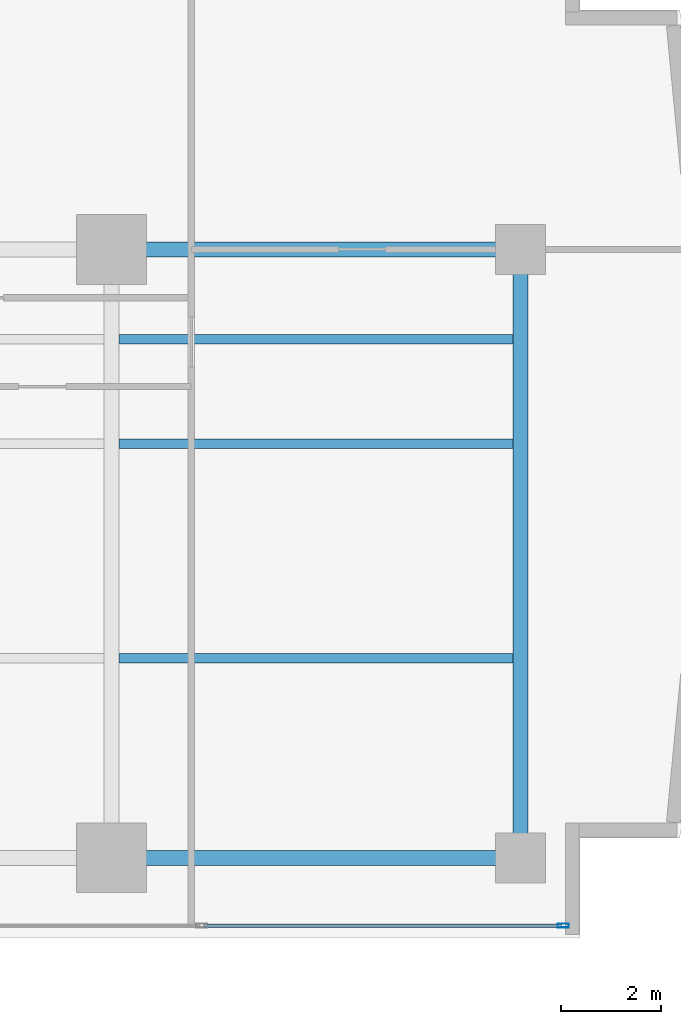
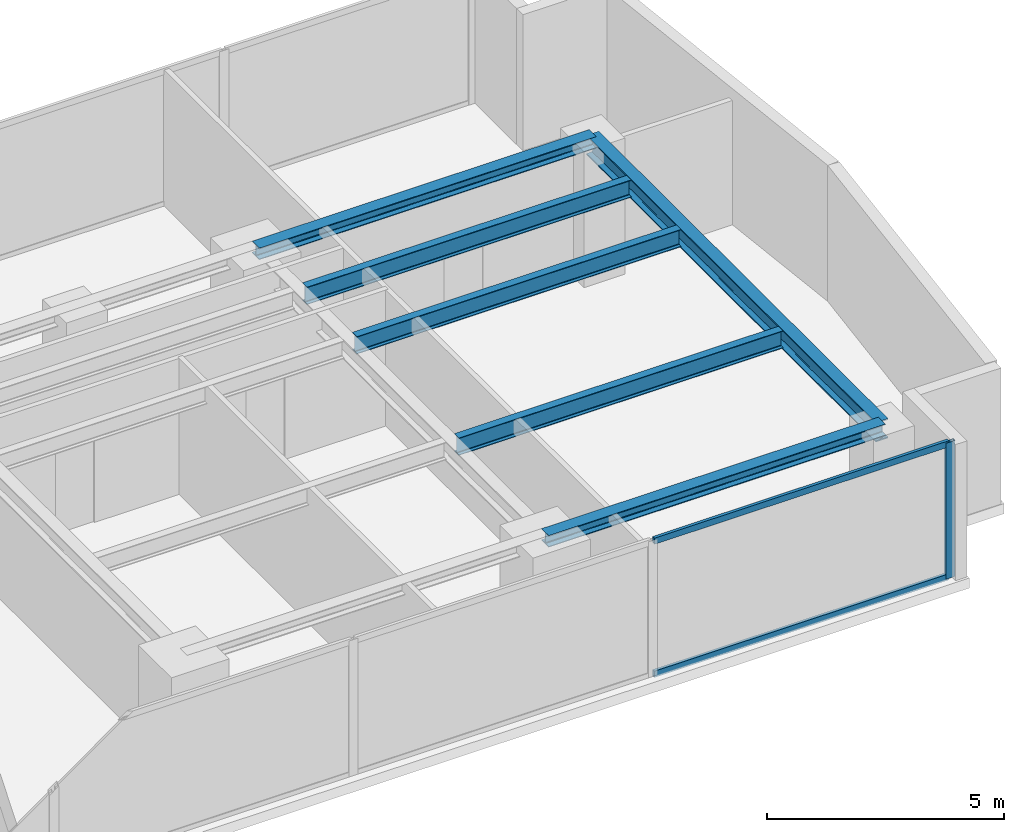
# One storey, part 12 of 25: 6 beams, 3 members, 1 element without a shape of its own.
"""IFC4 building model written with IfcOpenShell, lengths in metres."""

from ifc_helpers import new_model, si_unit, direction, frame, origin, origin_with_axes, origin_2d, place, context, subcontext, project, spatial, hollow_rectangle, i_section, extrude, source, transform, mapped, material, layer, layer_set, material_profile, profile_set, type_object, element, aggregate, save


model = new_model("IFC4")

# Units and contexts
model_context = context("Model", 3, precision=1e-05, world=origin(), true_north=direction((0.0, 1.0)))
body_context = subcontext(model_context, "Body", "Model", "MODEL_VIEW")
ifc_project = project(units=[si_unit("LENGTHUNIT", "METRE"), si_unit("AREAUNIT", "SQUARE_METRE"), si_unit("VOLUMEUNIT", "CUBIC_METRE"), si_unit("PLANEANGLEUNIT", "RADIAN"), si_unit("MASSUNIT", "GRAM", prefix="KILO")], contexts=[model_context])

# Site, building, storey
site_placement = place(None, origin())
site = spatial("IfcSite", under=ifc_project, at=site_placement, CompositionType="ELEMENT")
building_placement = place(site_placement, origin())
building = spatial("IfcBuilding", under=site, at=building_placement, Name="Kolvaren Waterfront Exchange", CompositionType="ELEMENT")
storey_placement = place(building_placement, frame((0.0, 0.0, 106.89990234375)))
storey = spatial("IfcBuildingStorey", under=building, at=storey_placement, Name="L27", CompositionType="ELEMENT", Elevation=106.89990234375)

# Beams
ifc_material_1 = material(Name="Steel S355", Category="steel")
ifc_material_profile_1 = material_profile(ifc_material_1, i_section(OverallWidth=0.300048828125, OverallDepth=0.300048828125, WebThickness=0.010986328125, FlangeThickness=0.01904296875, FilletRadius=0.027099609375, at=origin_2d()), Name="HEB300")
ifc_profile_set_1 = profile_set([ifc_material_profile_1], Name="Steel S355")
beam_type_1 = type_object("IfcBeamType", Name="STR-BM-HEB300", PredefinedType="SPANDREL", material=ifc_profile_set_1)
for number, where, z_axis, x_axis, name in (
    (1, (45.60009765625, 5.199951171875, 3.35009765625), (1.0, 0.0, 0.0), (0.0, 1.0, 0.0), "L27 east-arm spandrel S4"),
    (2, (45.60009765625, 17.39990234375, 3.35009765625), (1.0, 0.0, 0.0), (0.0, 1.0, 0.0), "L27 east-arm spandrel N4"),
):
    element("IfcBeam", number, at=place(storey_placement, frame(where, z_axis=z_axis, x_axis=x_axis)), inside=storey, type_object=beam_type_1, Name=name, PredefinedType="SPANDREL", context=body_context, shape_type="SweptSolid", body=[
        extrude(i_section(OverallWidth=0.300048828125, OverallDepth=0.300048828125, WebThickness=0.010986328125, FlangeThickness=0.01904296875, FilletRadius=0.027099609375, at=origin_2d()), origin(), (0.0, 0.0, 1.0), 8.199951171875),
    ])
ifc_material_profile_2 = material_profile(ifc_material_1, i_section(OverallWidth=0.300048828125, OverallDepth=0.5, WebThickness=0.014404296875, FlangeThickness=0.028076171875, FilletRadius=0.027099609375, at=origin_2d()), Name="HEB500")
ifc_profile_set_2 = profile_set([ifc_material_profile_2], Name="Steel S355")
beam_type_2 = type_object("IfcBeamType", Name="STR-BM-HEB500", PredefinedType="BEAM", material=ifc_profile_set_2)
beam_placement = place(storey_placement, frame((53.800048828125, 5.199951171875, 3.25), z_axis=(0.0, 1.0, 0.0), x_axis=(-1.0, 0.0, 0.0)))
element("IfcBeam", 3, at=beam_placement, inside=storey, type_object=beam_type_2, Name="L27 east-arm transverse girder X53", PredefinedType="BEAM", context=body_context, shape_type="SweptSolid", body=[
    extrude(i_section(OverallWidth=0.300048828125, OverallDepth=0.5, WebThickness=0.014404296875, FlangeThickness=0.028076171875, FilletRadius=0.027099609375, at=origin_2d()), origin(), (0.0, 0.0, 1.0), 12.199951171875),
])
ifc_material_profile_3 = material_profile(ifc_material_1, i_section(OverallWidth=0.18994140625, OverallDepth=0.449951171875, WebThickness=0.009521484375, FlangeThickness=0.0146484375, FilletRadius=0.02099609375, at=origin_2d()), Name="IPE450")
ifc_profile_set_3 = profile_set([ifc_material_profile_3], Name="Steel S355")
beam_type_3 = type_object("IfcBeamType", Name="STR-BM-IPE450", PredefinedType="JOIST", material=ifc_profile_set_3)
for number, where, z_axis, x_axis, name in (
    (4, (45.751953125, 13.5, 3.275146484375), (1.0, 0.0, 0.0), (0.0, 1.0, 0.0), "L27 east-arm composite joist 4A"),
    (5, (45.751953125, 15.60009765625, 3.275146484375), (1.0, 0.0, 0.0), (0.0, 1.0, 0.0), "L27 east-arm composite joist 4C"),
    (6, (45.751953125, 9.199951171875, 3.275146484375), (1.0, 0.0, 0.0), (0.0, 1.0, 0.0), "L27 east-arm composite joist 4B"),
):
    element("IfcBeam", number, at=place(storey_placement, frame(where, z_axis=z_axis, x_axis=x_axis)), inside=storey, type_object=beam_type_3, Name=name, PredefinedType="JOIST", context=body_context, shape_type="SweptSolid", body=[
        extrude(i_section(OverallWidth=0.18994140625, OverallDepth=0.449951171875, WebThickness=0.009521484375, FlangeThickness=0.0146484375, FilletRadius=0.02099609375, at=origin_2d()), origin(), (0.0, 0.0, 1.0), 7.89599609375),
    ])

# Curtain wall, members
ifc_material_2 = material(Name="Anodised bronze aluminium 6063-T6", Category="aluminium")
ifc_layer = layer(ifc_material_2, 0.219970703125, Name="Anodised bronze aluminium 6063-T6")
ifc_layer_set = layer_set([ifc_layer], Name="Anodised bronze aluminium 6063-T6")
curtain_wall_type = type_object("IfcCurtainWallType", Name="ARC-CW-SYS1", PredefinedType="USERDEFINED", material=ifc_layer_set)
curtain_wall_placement = place(storey_placement, origin())
curtain_wall = element("IfcCurtainWall", 7, at=curtain_wall_placement, inside=storey, type_object=curtain_wall_type, Name="L27 stick curtain wall CW1 (CW-L27-S)", ObjectType="STICK CURTAIN WALL", PredefinedType="USERDEFINED")
ifc_material_3 = material(Name="Anodised aluminium 6063-T6", Category="aluminium")
ifc_material_profile_4 = material_profile(ifc_material_3, hollow_rectangle(XDim=0.074951171875, YDim=0.159912109375, WallThickness=0.00439453125, at=origin_2d()), Name="ALU-TRN-160x75x4.5")
ifc_profile_set_4 = profile_set([ifc_material_profile_4], Name="Anodised aluminium 6063-T6")
member_type_1 = type_object("IfcMemberType", Name="ARC-CWT-160", PredefinedType="USERDEFINED", material=ifc_profile_set_4)
shared_shape_1 = source(origin_with_axes(), body_context, "Body", "SweptSolid", [
    extrude(hollow_rectangle(XDim=0.074951171875, YDim=0.159912109375, WallThickness=0.00439453125, at=origin_2d()), origin(), (0.0, 0.0, 1.0), 7.165771484375),
])
member_1_placement = place(storey_placement, frame((47.454345703125, 3.840087890625, 0.03759765625), z_axis=(1.0, 0.0, 0.0), x_axis=(0.0, 1.0, 0.0)))
member_1 = element("IfcMember", 8, at=member_1_placement, type_object=member_type_1, Name="CW1 transom 7.1", ObjectType="TRANSOM", PredefinedType="USERDEFINED", context=body_context, shape_type="MappedRepresentation", body=[
    mapped(shared_shape_1, transform((0.0, 0.0, 0.0), x_axis=(1.0, 0.0, 0.0), y_axis=(0.0, 1.0, 0.0), z_axis=(0.0, 0.0, 1.0), scale=1.0)),
])
member_2_placement = place(storey_placement, frame((47.454345703125, 3.840087890625, 3.462646484375), z_axis=(1.0, 0.0, 0.0), x_axis=(0.0, 1.0, 0.0)))
member_2 = element("IfcMember", 9, at=member_2_placement, type_object=member_type_1, Name="CW1 transom 7.2", ObjectType="TRANSOM", PredefinedType="USERDEFINED", context=body_context, shape_type="MappedRepresentation", body=[
    mapped(shared_shape_1, transform((0.0, 0.0, 0.0), x_axis=(1.0, 0.0, 0.0), y_axis=(0.0, 1.0, 0.0), z_axis=(0.0, 0.0, 1.0), scale=1.0)),
])
ifc_material_profile_5 = material_profile(ifc_material_3, hollow_rectangle(XDim=0.080078125, YDim=0.219970703125, WallThickness=0.0048828125, at=origin_2d()), Name="ALU-MUL-220x80x5")
ifc_profile_set_5 = profile_set([ifc_material_profile_5], Name="Anodised aluminium 6063-T6")
member_type_2 = type_object("IfcMemberType", Name="ARC-CWM-220", PredefinedType="MULLION", material=ifc_profile_set_5)
shared_shape_2 = source(origin_with_axes(), body_context, "Body", "SweptSolid", [
    extrude(hollow_rectangle(XDim=0.080078125, YDim=0.219970703125, WallThickness=0.0048828125, at=origin_2d()), origin(), (0.0, 0.0, 1.0), 3.5),
])
member_3_placement = place(storey_placement, frame((54.659912109375, 3.840087890625, 0.0), z_axis=(0.0, 0.0, 1.0), x_axis=(0.0, 1.0, 0.0)))
member_3 = element("IfcMember", 10, at=member_3_placement, type_object=member_type_2, Name="CW1 mullion 8", PredefinedType="MULLION", context=body_context, shape_type="MappedRepresentation", body=[
    mapped(shared_shape_2, transform((0.0, 0.0, 0.0), x_axis=(1.0, 0.0, 0.0), y_axis=(0.0, 1.0, 0.0), z_axis=(0.0, 0.0, 1.0), scale=1.0)),
])
aggregate(curtain_wall, [member_3, member_1, member_2])

save(model, "model.ifc")
